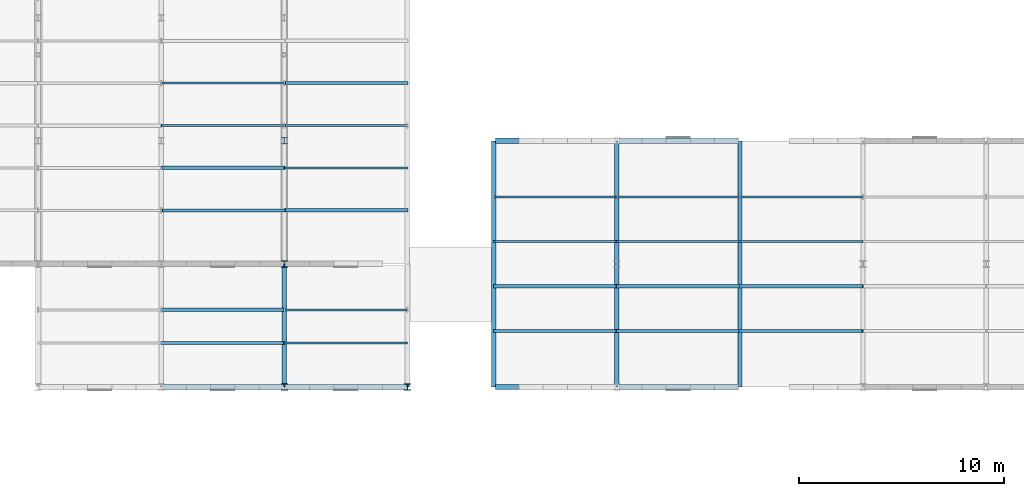
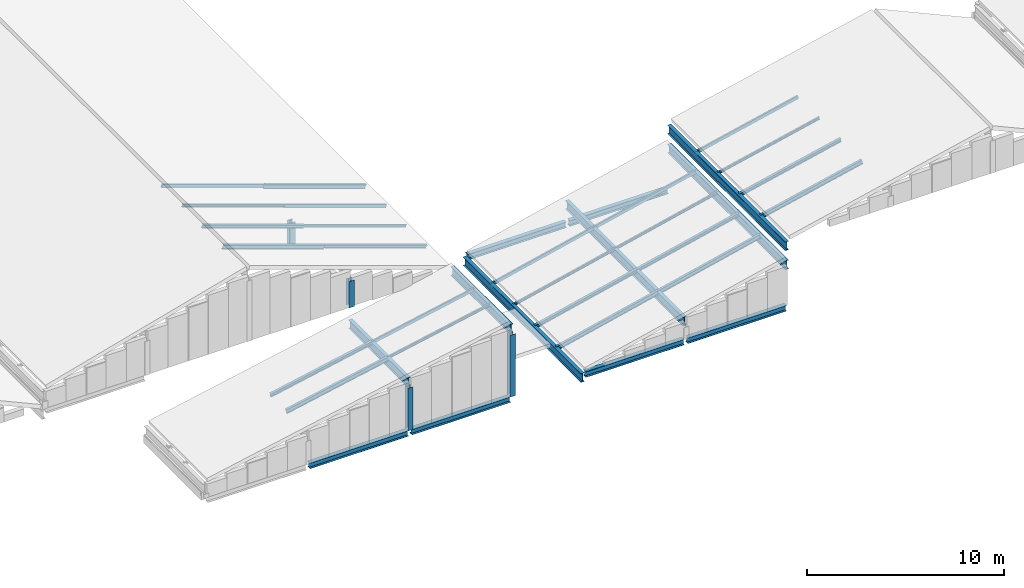
# One storey, part 10 of 74: 28 members, 12 beams.
"""IFC4 building model written with IfcOpenShell, lengths in metres."""

from ifc_helpers import new_model, si_unit, direction, frame, origin, origin_2d, place, context, subcontext, project, spatial, hollow_rectangle, i_section, extrude, material, material_profile, profile_set, type_object, element, save


model = new_model("IFC4")

# Units and contexts
model_context = context("Model", 3, precision=1e-05, world=origin(), true_north=direction((0.0, 1.0)))
body_context = subcontext(model_context, "Body", "Model", "MODEL_VIEW")
ifc_project = project(units=[si_unit("LENGTHUNIT", "METRE"), si_unit("AREAUNIT", "SQUARE_METRE"), si_unit("VOLUMEUNIT", "CUBIC_METRE"), si_unit("PLANEANGLEUNIT", "RADIAN"), si_unit("MASSUNIT", "GRAM", prefix="KILO")], contexts=[model_context])

# Site, building, storey
site_placement = place(None, origin())
site = spatial("IfcSite", under=ifc_project, at=site_placement, CompositionType="ELEMENT")
building_placement = place(site_placement, origin())
building = spatial("IfcBuilding", under=site, at=building_placement, Name="Siltcreek Boulevard Central Fire Station", CompositionType="ELEMENT")
storey_placement = place(building_placement, frame((0.0, 0.0, 25.199951171875)))
storey = spatial("IfcBuildingStorey", under=building, at=storey_placement, Name="RF", CompositionType="ELEMENT", Elevation=25.199951171875)

# Beams
ifc_material_1 = material(Name="Structural steel ASTM A992 Gr50", Category="steel")
ifc_material_profile_1 = material_profile(ifc_material_1, i_section(OverallWidth=0.25390625, OverallDepth=0.35302734375, WebThickness=0.009521484375, FlangeThickness=0.016357421875, at=origin_2d()), Name="W360X91")
ifc_profile_set_1 = profile_set([ifc_material_profile_1], Name="Structural steel ASTM A992 Gr50")
beam_type_1 = type_object("IfcBeamType", Name="BM_W360X91", PredefinedType="BEAM", material=ifc_profile_set_1)
for number, where, z_axis, x_axis, name in (
    (1, (96.10009765625, 18.0, -15.37646484375), (1.0, 0.0, 0.0), (0.0, 1.0, 0.0), "Perimeter roof eave tie beam EB-02"),
    (2, (102.10009765625, 18.0, -15.37646484375), (1.0, 0.0, 0.0), (0.0, 1.0, 0.0), "Perimeter roof eave tie beam EB-03"),
):
    element("IfcBeam", number, at=place(storey_placement, frame(where, z_axis=z_axis, x_axis=x_axis)), inside=storey, type_object=beam_type_1, Name=name, PredefinedType="BEAM", context=body_context, shape_type="SweptSolid", body=[
        extrude(i_section(OverallWidth=0.25390625, OverallDepth=0.35302734375, WebThickness=0.009521484375, FlangeThickness=0.016357421875, at=origin_2d()), origin(), (0.0, 0.0, 1.0), 5.7998046875),
    ])
for number, where, z_axis, x_axis, name in (
    (3, (112.300048828125, 18.0, -15.37646484375), (1.0, 0.0, 0.0), (0.0, 1.0, 0.0), "Perimeter roof eave tie beam EB-04"),
    (4, (118.300048828125, 18.0, -15.37646484375), (1.0, 0.0, 0.0), (0.0, 1.0, 0.0), "Perimeter roof eave tie beam EB-05"),
    (5, (112.300048828125, 30.0, -15.37646484375), (1.0, 0.0, 0.0), (0.0, 1.0, 0.0), "Perimeter roof eave tie beam EB-06"),
    (6, (118.300048828125, 30.0, -15.37646484375), (1.0, 0.0, 0.0), (0.0, 1.0, 0.0), "Perimeter roof eave tie beam EB-07"),
):
    element("IfcBeam", number, at=place(storey_placement, frame(where, z_axis=z_axis, x_axis=x_axis)), inside=storey, type_object=beam_type_1, Name=name, PredefinedType="BEAM", context=body_context, shape_type="SweptSolid", body=[
        extrude(i_section(OverallWidth=0.25390625, OverallDepth=0.35302734375, WebThickness=0.009521484375, FlangeThickness=0.016357421875, at=origin_2d()), origin(), (0.0, 0.0, 1.0), 5.800048828125),
    ])
ifc_material_profile_2 = material_profile(ifc_material_1, i_section(OverallWidth=0.2109375, OverallDepth=0.5390625, WebThickness=0.01171875, FlangeThickness=0.018798828125, at=origin_2d()), Name="W530X109")
ifc_profile_set_2 = profile_set([ifc_material_profile_2], Name="Structural steel ASTM A992 Gr50")
beam_type_2 = type_object("IfcBeamType", Name="BM_W530X109", PredefinedType="BEAM", material=ifc_profile_set_2)
for number, where, z_axis, x_axis, name in (
    (7, (102.0, 18.010009765625, -12.297119140625), (0.0, 1.0, 0.0), (-1.0, 0.0, 0.0), "Pitched roof rafter beam RFB-029"),
    (8, (108.0, 18.010009765625, -11.09716796875), (0.0, 1.0, 0.0), (-1.0, 0.0, 0.0), "Pitched roof rafter beam RFB-030"),
):
    element("IfcBeam", number, at=place(storey_placement, frame(where, z_axis=z_axis, x_axis=x_axis)), inside=storey, type_object=beam_type_2, Name=name, PredefinedType="BEAM", context=body_context, shape_type="SweptSolid", body=[
        extrude(i_section(OverallWidth=0.2109375, OverallDepth=0.5390625, WebThickness=0.01171875, FlangeThickness=0.018798828125, at=origin_2d()), origin(), (0.0, 0.0, 1.0), 5.97998046875),
    ])
for number, where, z_axis, x_axis, name in (
    (9, (112.199951171875, 18.010009765625, -15.60302734375), (0.0, 1.0, 0.0), (-1.0, 0.0, 0.0), "Pitched roof rafter beam RFB-057"),
    (10, (118.199951171875, 18.010009765625, -14.202880859375), (0.0, 1.0, 0.0), (-1.0, 0.0, 0.0), "Pitched roof rafter beam RFB-058"),
    (11, (124.199951171875, 18.010009765625, -12.802978515625), (0.0, 1.0, 0.0), (-1.0, 0.0, 0.0), "Pitched roof rafter beam RFB-059"),
    (12, (124.199951171875, 18.010009765625, -11.6220703125), (0.0, 1.0, 0.0), (-1.0, 0.0, 0.0), "Pitched roof rafter beam RFB-060"),
):
    element("IfcBeam", number, at=place(storey_placement, frame(where, z_axis=z_axis, x_axis=x_axis)), inside=storey, type_object=beam_type_2, Name=name, PredefinedType="BEAM", context=body_context, shape_type="SweptSolid", body=[
        extrude(i_section(OverallWidth=0.2109375, OverallDepth=0.5390625, WebThickness=0.01171875, FlangeThickness=0.018798828125, at=origin_2d()), origin(), (0.0, 0.0, 1.0), 11.97998046875),
    ])

# Members
ifc_material_profile_3 = material_profile(ifc_material_1, i_section(OverallWidth=0.304931640625, OverallDepth=0.30810546875, WebThickness=0.010009765625, FlangeThickness=0.015380859375, at=origin_2d()), Name="W310X97")
ifc_profile_set_3 = profile_set([ifc_material_profile_3], Name="Structural steel ASTM A992 Gr50")
member_type_1 = type_object("IfcMemberType", Name="CH_W310X97", PredefinedType="CHORD", material=ifc_profile_set_3)
member_1_placement = place(storey_placement, frame((102.0, 18.0, -15.199951171875), z_axis=(0.0, 0.0, 1.0), x_axis=(1.0, 0.0, 0.0)))
element("IfcMember", 13, at=member_1_placement, inside=storey, type_object=member_type_1, Name="Roof bearing truss post 0751", PredefinedType="CHORD", context=body_context, shape_type="SweptSolid", body=[
    extrude(i_section(OverallWidth=0.304931640625, OverallDepth=0.30810546875, WebThickness=0.010009765625, FlangeThickness=0.015380859375, at=origin_2d()), origin(), (0.0, 0.0, 1.0), 2.63720703125),
])
for number, where, z_axis, x_axis, name in (
    (14, (102.0, 24.0, -11.199951171875), (0.0, 0.0, 1.0), (1.0, 0.0, 0.0), "Roof bearing truss post 0752"),
    (15, (102.0, 30.0, -11.199951171875), (0.0, 0.0, 1.0), (1.0, 0.0, 0.0), "Roof bearing truss post 0753"),
):
    element("IfcMember", number, at=place(storey_placement, frame(where, z_axis=z_axis, x_axis=x_axis)), inside=storey, type_object=member_type_1, Name=name, PredefinedType="CHORD", context=body_context, shape_type="SweptSolid", body=[
        extrude(i_section(OverallWidth=0.304931640625, OverallDepth=0.30810546875, WebThickness=0.010009765625, FlangeThickness=0.015380859375, at=origin_2d()), origin(), (0.0, 0.0, 1.0), 1.63818359375),
    ])
member_2_placement = place(storey_placement, frame((108.0, 18.0, -15.199951171875), z_axis=(0.0, 0.0, 1.0), x_axis=(1.0, 0.0, 0.0)))
element("IfcMember", 16, at=member_2_placement, inside=storey, type_object=member_type_1, Name="Roof bearing truss post 0758", PredefinedType="CHORD", context=body_context, shape_type="SweptSolid", body=[
    extrude(i_section(OverallWidth=0.304931640625, OverallDepth=0.30810546875, WebThickness=0.010009765625, FlangeThickness=0.015380859375, at=origin_2d()), origin(), (0.0, 0.0, 1.0), 3.83740234375),
])
ifc_material_2 = material(Name="Structural steel ASTM A500 GrC", Category="steel")
ifc_material_profile_4 = material_profile(ifc_material_2, hollow_rectangle(XDim=0.10009765625, YDim=0.199951171875, WallThickness=0.00634765625, at=origin_2d()), Name="HSS200X100X6.4")
ifc_profile_set_4 = profile_set([ifc_material_profile_4], Name="Structural steel ASTM A500 GrC")
member_type_2 = type_object("IfcMemberType", Name="PR_HSS200X100", PredefinedType="PURLIN", material=ifc_profile_set_4)
for number, where, z_axis, x_axis, name in (
    (17, (96.010009765625, 32.80712890625, -6.98828125), (0.943857154847, 0.0, -0.330353857618), (0.0, 1.0, 0.0), "Sloped roof purlin PR-0143"),
    (18, (102.010009765625, 30.742919921875, -9.08837890625), (0.943869169609, 0.0, -0.330319528125), (0.0, 1.0, 0.0), "Sloped roof purlin PR-0155"),
):
    element("IfcMember", number, at=place(storey_placement, frame(where, z_axis=z_axis, x_axis=x_axis)), inside=storey, type_object=member_type_2, Name=name, PredefinedType="PURLIN", context=body_context, shape_type="SweptSolid", body=[
        extrude(hollow_rectangle(XDim=0.10009765625, YDim=0.199951171875, WallThickness=0.00634765625, at=origin_2d()), origin(), (0.0, 0.0, 1.0), 6.335693359375),
    ])
member_3_placement = place(storey_placement, frame((102.010009765625, 21.76318359375, -12.098388671875), z_axis=(0.980586834247, 0.0, 0.196085339844), x_axis=(0.0, 1.0, 0.0)))
element("IfcMember", 19, at=member_3_placement, inside=storey, type_object=member_type_2, Name="Sloped roof purlin PR-0171", PredefinedType="PURLIN", context=body_context, shape_type="SweptSolid", body=[
    extrude(hollow_rectangle(XDim=0.10009765625, YDim=0.199951171875, WallThickness=0.00634765625, at=origin_2d()), origin(), (0.0, 0.0, 1.0), 6.098388671875),
])
for number, where, z_axis, x_axis, name in (
    (20, (112.2099609375, 27.27001953125, -15.400390625), (0.973843555816, 0.0, 0.227219560769), (0.0, 1.0, 0.0), "Sloped roof purlin PR-0291"),
    (21, (118.2099609375, 27.27001953125, -14.00048828125), (0.973843555816, 0.0, 0.227219560769), (0.0, 1.0, 0.0), "Sloped roof purlin PR-0295"),
):
    element("IfcMember", number, at=place(storey_placement, frame(where, z_axis=z_axis, x_axis=x_axis)), inside=storey, type_object=member_type_2, Name=name, PredefinedType="PURLIN", context=body_context, shape_type="SweptSolid", body=[
        extrude(hollow_rectangle(XDim=0.10009765625, YDim=0.199951171875, WallThickness=0.00634765625, at=origin_2d()), origin(), (0.0, 0.0, 1.0), 6.140625),
    ])
member_4_placement = place(storey_placement, frame((124.2099609375, 27.27001953125, -11.42041015625), z_axis=(0.975611035589, 0.0, 0.219506508416), x_axis=(0.0, 1.0, 0.0)))
element("IfcMember", 22, at=member_4_placement, inside=storey, type_object=member_type_2, Name="Sloped roof purlin PR-0299", PredefinedType="PURLIN", context=body_context, shape_type="SweptSolid", body=[
    extrude(hollow_rectangle(XDim=0.10009765625, YDim=0.199951171875, WallThickness=0.00634765625, at=origin_2d()), origin(), (0.0, 0.0, 1.0), 6.12939453125),
])
ifc_material_profile_5 = material_profile(ifc_material_1, i_section(OverallWidth=0.10205078125, OverallDepth=0.159912109375, WebThickness=0.006591796875, FlangeThickness=0.01025390625, at=origin_2d()), Name="W150X24")
ifc_profile_set_5 = profile_set([ifc_material_profile_5], Name="Structural steel ASTM A992 Gr50")
member_type_3 = type_object("IfcMemberType", Name="PR_W150X24", PredefinedType="PURLIN", material=ifc_profile_set_5)
for number, where, z_axis, x_axis, name in (
    (23, (96.010009765625, 30.742919921875, -6.967041015625), (0.943857154847, 0.0, -0.330353857618), (0.0, 1.0, 0.0), "Sloped roof purlin PR-0142"),
    (24, (102.010009765625, 28.6787109375, -9.067138671875), (0.943857154847, 0.0, -0.330353857618), (0.0, 1.0, 0.0), "Sloped roof purlin PR-0154"),
):
    element("IfcMember", number, at=place(storey_placement, frame(where, z_axis=z_axis, x_axis=x_axis)), inside=storey, type_object=member_type_3, Name=name, PredefinedType="PURLIN", context=body_context, shape_type="SweptSolid", body=[
        extrude(i_section(OverallWidth=0.10205078125, OverallDepth=0.159912109375, WebThickness=0.006591796875, FlangeThickness=0.01025390625, at=origin_2d()), origin(), (0.0, 0.0, 1.0), 6.335693359375),
    ])
member_5_placement = place(storey_placement, frame((102.010009765625, 20.15673828125, -12.078125), z_axis=(0.980579135913, 0.0, 0.196123833871), x_axis=(0.0, 1.0, 0.0)))
element("IfcMember", 25, at=member_5_placement, inside=storey, type_object=member_type_3, Name="Sloped roof purlin PR-0170", PredefinedType="PURLIN", context=body_context, shape_type="SweptSolid", body=[
    extrude(i_section(OverallWidth=0.10205078125, OverallDepth=0.159912109375, WebThickness=0.006591796875, FlangeThickness=0.01025390625, at=origin_2d()), origin(), (0.0, 0.0, 1.0), 6.098388671875),
])
for number, where, z_axis, x_axis, name in (
    (26, (112.2099609375, 25.090087890625, -15.3798828125), (0.973843555816, 0.0, 0.227219560769), (0.0, 1.0, 0.0), "Sloped roof purlin PR-0290"),
    (27, (118.2099609375, 25.090087890625, -13.97998046875), (0.973843555816, 0.0, 0.227219560769), (0.0, 1.0, 0.0), "Sloped roof purlin PR-0294"),
):
    element("IfcMember", number, at=place(storey_placement, frame(where, z_axis=z_axis, x_axis=x_axis)), inside=storey, type_object=member_type_3, Name=name, PredefinedType="PURLIN", context=body_context, shape_type="SweptSolid", body=[
        extrude(i_section(OverallWidth=0.10205078125, OverallDepth=0.159912109375, WebThickness=0.006591796875, FlangeThickness=0.01025390625, at=origin_2d()), origin(), (0.0, 0.0, 1.0), 6.140625),
    ])
member_6_placement = place(storey_placement, frame((124.2099609375, 25.090087890625, -11.39990234375), z_axis=(0.975611035589, 0.0, 0.219506508416), x_axis=(0.0, 1.0, 0.0)))
element("IfcMember", 28, at=member_6_placement, inside=storey, type_object=member_type_3, Name="Sloped roof purlin PR-0298", PredefinedType="PURLIN", context=body_context, shape_type="SweptSolid", body=[
    extrude(i_section(OverallWidth=0.10205078125, OverallDepth=0.159912109375, WebThickness=0.006591796875, FlangeThickness=0.01025390625, at=origin_2d()), origin(), (0.0, 0.0, 1.0), 6.12939453125),
])
ifc_material_profile_6 = material_profile(ifc_material_1, i_section(OverallWidth=0.1650390625, OverallDepth=0.200927734375, WebThickness=0.006103515625, FlangeThickness=0.01025390625, at=origin_2d()), Name="W200X36")
ifc_profile_set_6 = profile_set([ifc_material_profile_6], Name="Structural steel ASTM A992 Gr50")
member_type_4 = type_object("IfcMemberType", Name="PR_W200X36", PredefinedType="PURLIN", material=ifc_profile_set_6)
for number, where, z_axis, x_axis, name in (
    (29, (96.010009765625, 28.6787109375, -6.98876953125), (0.943857154847, 0.0, -0.330353857618), (0.0, 1.0, 0.0), "Sloped roof purlin PR-0141"),
    (30, (102.010009765625, 26.6142578125, -9.0888671875), (0.943857154847, 0.0, -0.330353857618), (0.0, 1.0, 0.0), "Sloped roof purlin PR-0153"),
):
    element("IfcMember", number, at=place(storey_placement, frame(where, z_axis=z_axis, x_axis=x_axis)), inside=storey, type_object=member_type_4, Name=name, PredefinedType="PURLIN", context=body_context, shape_type="SweptSolid", body=[
        extrude(i_section(OverallWidth=0.1650390625, OverallDepth=0.200927734375, WebThickness=0.006103515625, FlangeThickness=0.01025390625, at=origin_2d()), origin(), (0.0, 0.0, 1.0), 6.335693359375),
    ])
member_7_placement = place(storey_placement, frame((96.010009765625, 21.76318359375, -13.299072265625), z_axis=(0.980579135913, 0.0, 0.196123833871), x_axis=(0.0, 1.0, 0.0)))
element("IfcMember", 31, at=member_7_placement, inside=storey, type_object=member_type_4, Name="Sloped roof purlin PR-0169", PredefinedType="PURLIN", context=body_context, shape_type="SweptSolid", body=[
    extrude(i_section(OverallWidth=0.1650390625, OverallDepth=0.200927734375, WebThickness=0.006103515625, FlangeThickness=0.01025390625, at=origin_2d()), origin(), (0.0, 0.0, 1.0), 6.098388671875),
])
for number, where, z_axis, x_axis, name in (
    (32, (112.2099609375, 22.909912109375, -15.40087890625), (0.973843555816, 0.0, 0.227219560769), (0.0, 1.0, 0.0), "Sloped roof purlin PR-0289"),
    (33, (118.2099609375, 22.909912109375, -14.0009765625), (0.973843555816, 0.0, 0.227219560769), (0.0, 1.0, 0.0), "Sloped roof purlin PR-0293"),
):
    element("IfcMember", number, at=place(storey_placement, frame(where, z_axis=z_axis, x_axis=x_axis)), inside=storey, type_object=member_type_4, Name=name, PredefinedType="PURLIN", context=body_context, shape_type="SweptSolid", body=[
        extrude(i_section(OverallWidth=0.1650390625, OverallDepth=0.200927734375, WebThickness=0.006103515625, FlangeThickness=0.01025390625, at=origin_2d()), origin(), (0.0, 0.0, 1.0), 6.140625),
    ])
member_8_placement = place(storey_placement, frame((124.2099609375, 22.909912109375, -11.4208984375), z_axis=(0.975611035589, 0.0, 0.219506508416), x_axis=(0.0, 1.0, 0.0)))
element("IfcMember", 34, at=member_8_placement, inside=storey, type_object=member_type_4, Name="Sloped roof purlin PR-0297", PredefinedType="PURLIN", context=body_context, shape_type="SweptSolid", body=[
    extrude(i_section(OverallWidth=0.1650390625, OverallDepth=0.200927734375, WebThickness=0.006103515625, FlangeThickness=0.01025390625, at=origin_2d()), origin(), (0.0, 0.0, 1.0), 6.12939453125),
])
ifc_material_profile_7 = material_profile(ifc_material_1, i_section(OverallWidth=0.14697265625, OverallDepth=0.261962890625, WebThickness=0.006591796875, FlangeThickness=0.01123046875, at=origin_2d()), Name="W250X39")
ifc_profile_set_7 = profile_set([ifc_material_profile_7], Name="Structural steel ASTM A992 Gr50")
member_type_5 = type_object("IfcMemberType", Name="PR_W250X39", PredefinedType="PURLIN", material=ifc_profile_set_7)
for number, where, z_axis, x_axis, name in (
    (35, (96.010009765625, 26.6142578125, -7.02099609375), (0.943857154847, 0.0, -0.330353857618), (0.0, 1.0, 0.0), "Sloped roof purlin PR-0140"),
    (36, (102.010009765625, 32.80712890625, -9.12109375), (0.943857154847, 0.0, -0.330353857618), (0.0, 1.0, 0.0), "Sloped roof purlin PR-0156"),
):
    element("IfcMember", number, at=place(storey_placement, frame(where, z_axis=z_axis, x_axis=x_axis)), inside=storey, type_object=member_type_5, Name=name, PredefinedType="PURLIN", context=body_context, shape_type="SweptSolid", body=[
        extrude(i_section(OverallWidth=0.14697265625, OverallDepth=0.261962890625, WebThickness=0.006591796875, FlangeThickness=0.01123046875, at=origin_2d()), origin(), (0.0, 0.0, 1.0), 6.335693359375),
    ])
member_9_placement = place(storey_placement, frame((96.010009765625, 20.15673828125, -13.330078125), z_axis=(0.980579135913, 0.0, 0.196123833871), x_axis=(0.0, 1.0, 0.0)))
element("IfcMember", 37, at=member_9_placement, inside=storey, type_object=member_type_5, Name="Sloped roof purlin PR-0168", PredefinedType="PURLIN", context=body_context, shape_type="SweptSolid", body=[
    extrude(i_section(OverallWidth=0.14697265625, OverallDepth=0.261962890625, WebThickness=0.006591796875, FlangeThickness=0.01123046875, at=origin_2d()), origin(), (0.0, 0.0, 1.0), 6.098388671875),
])
for number, where, z_axis, x_axis, name in (
    (38, (112.2099609375, 20.72998046875, -15.432373046875), (0.973834757562, 0.0, 0.227257266033), (0.0, 1.0, 0.0), "Sloped roof purlin PR-0288"),
    (39, (118.2099609375, 20.72998046875, -14.0322265625), (0.973843555816, 0.0, 0.227219560769), (0.0, 1.0, 0.0), "Sloped roof purlin PR-0292"),
):
    element("IfcMember", number, at=place(storey_placement, frame(where, z_axis=z_axis, x_axis=x_axis)), inside=storey, type_object=member_type_5, Name=name, PredefinedType="PURLIN", context=body_context, shape_type="SweptSolid", body=[
        extrude(i_section(OverallWidth=0.14697265625, OverallDepth=0.261962890625, WebThickness=0.006591796875, FlangeThickness=0.01123046875, at=origin_2d()), origin(), (0.0, 0.0, 1.0), 6.140625),
    ])
member_10_placement = place(storey_placement, frame((124.2099609375, 20.72998046875, -11.4521484375), z_axis=(0.975611035589, 0.0, 0.219506508416), x_axis=(0.0, 1.0, 0.0)))
element("IfcMember", 40, at=member_10_placement, inside=storey, type_object=member_type_5, Name="Sloped roof purlin PR-0296", PredefinedType="PURLIN", context=body_context, shape_type="SweptSolid", body=[
    extrude(i_section(OverallWidth=0.14697265625, OverallDepth=0.261962890625, WebThickness=0.006591796875, FlangeThickness=0.01123046875, at=origin_2d()), origin(), (0.0, 0.0, 1.0), 6.12939453125),
])

save(model, "model.ifc")
